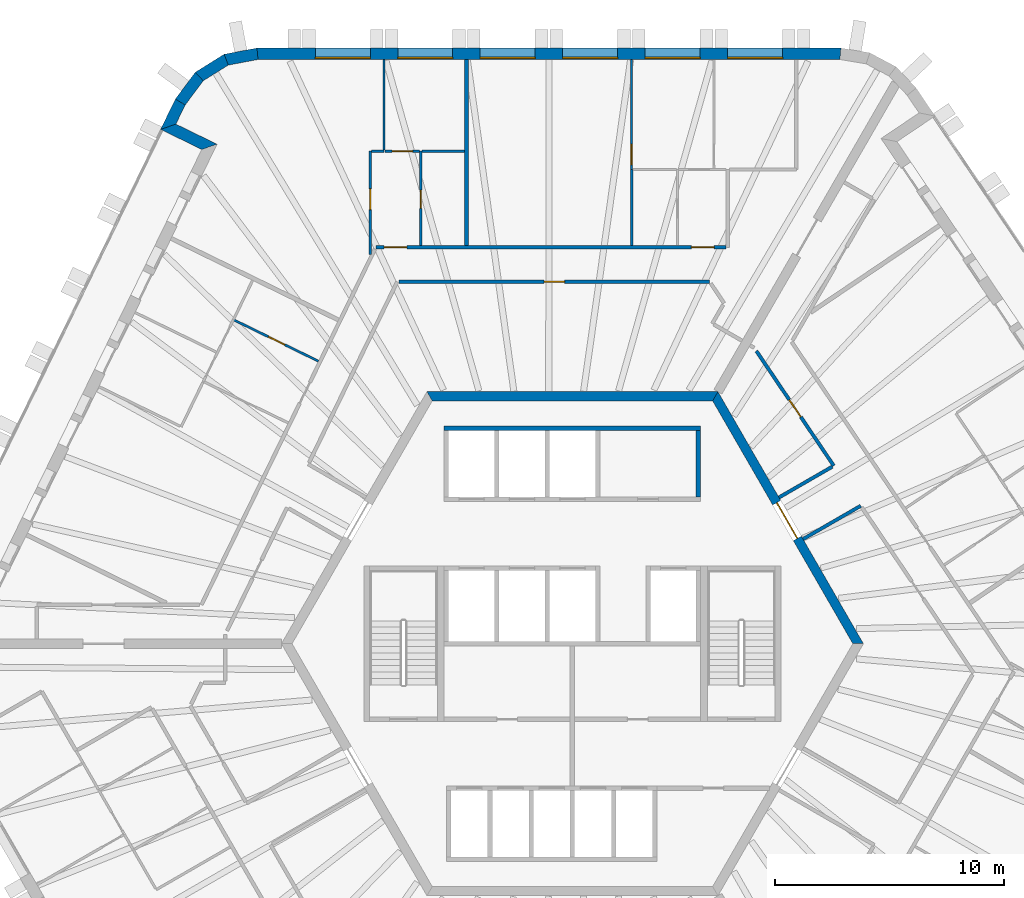
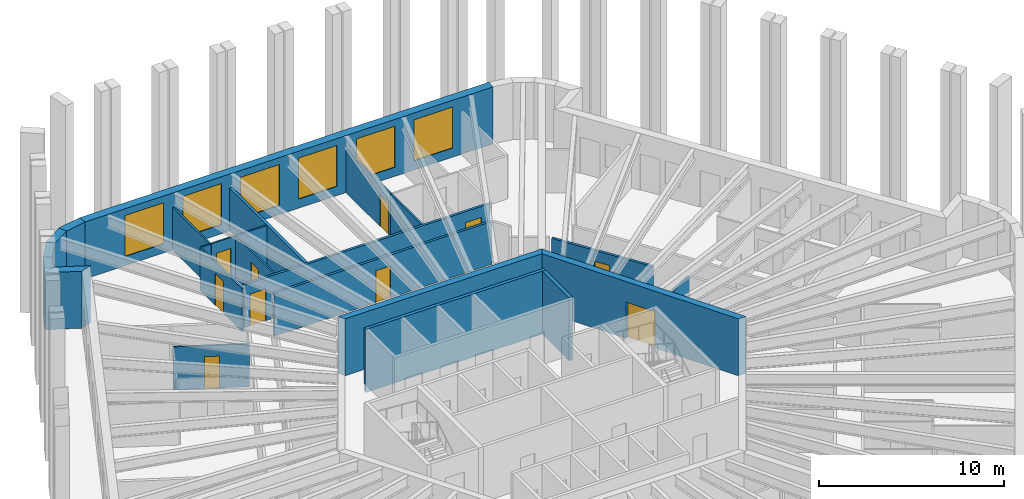
# One storey, part 9 of 13: 25 walls, 10 doors, 6 windows, 16 openings.
"""IFC4 building model written with IfcOpenShell, lengths in metres."""

from ifc_helpers import new_model, si_unit, direction, frame, frame_2d, origin, place, context, subcontext, project, spatial, polyline, rectangle, outline, extrude, material, layer, layer_set, type_object, element, fill, save


model = new_model("IFC4")

# Units and contexts
model_context = context("Model", 3, precision=1e-05, world=origin(), true_north=direction((0.0, 1.0)))
body_context = subcontext(model_context, "Body", "Model", "MODEL_VIEW")
ifc_project = project(units=[si_unit("LENGTHUNIT", "METRE"), si_unit("AREAUNIT", "SQUARE_METRE"), si_unit("VOLUMEUNIT", "CUBIC_METRE"), si_unit("PLANEANGLEUNIT", "RADIAN"), si_unit("MASSUNIT", "GRAM", prefix="KILO")], contexts=[model_context])

# Site, building, storey
site_placement = place(None, origin())
site = spatial("IfcSite", under=ifc_project, at=site_placement, CompositionType="ELEMENT")
building_placement = place(site_placement, origin())
building = spatial("IfcBuilding", under=site, at=building_placement, Name="Tarnside Tower", CompositionType="ELEMENT")
storey_placement = place(building_placement, frame((0.0, 0.0, 256.199951171875)))
storey = spatial("IfcBuildingStorey", under=building, at=storey_placement, Name="L61", CompositionType="ELEMENT", Elevation=256.199951171875)

# Wall
ifc_material_1 = material(Name="Gypsum board partition on steel studs", Category="steel")
ifc_layer_1 = layer(ifc_material_1, 0.10009765625)
ifc_layer_set_1 = layer_set([ifc_layer_1], Name="Bathroom wall 100")
wall_type_1 = type_object("IfcWallType", Name="Bathroom wall 100", PredefinedType="PARTITIONING", material=ifc_layer_set_1)
wall_1_placement = place(storey_placement, frame((2.586181640625, 17.375, 0.0), z_axis=(0.0, 0.0, 1.0), x_axis=(0.0, 1.0, 0.0)))
element("IfcWall", 1, at=wall_1_placement, inside=storey, type_object=wall_type_1, Name="Bathroom wall 20081", PredefinedType="PARTITIONING", context=body_context, shape_type="SweptSolid", body=[
    extrude(rectangle(XDim=3.324951171875, YDim=0.10009765625, at=frame_2d((1.66259765625, 0.0))), origin(), (0.0, 0.0, 1.0), 2.823486328125),
])

# Wall, opening, door
wall_2_placement = place(storey_placement, frame((-6.624755859375, 17.375, 0.0), z_axis=(0.0, 0.0, 1.0), x_axis=(0.0, 1.0, 0.0)))
wall_2 = element("IfcWall", 2, at=wall_2_placement, inside=storey, type_object=wall_type_1, Name="Bathroom wall 20095", PredefinedType="PARTITIONING", context=body_context, shape_type="SweptSolid", body=[
    extrude(rectangle(XDim=4.125, YDim=0.10009765625, at=frame_2d((2.0625, 0.0))), origin(), (0.0, 0.0, 1.0), 2.823486328125),
])
opening_1_placement = place(wall_2_placement, frame((1.625, 0.0, 0.0)))
opening_1 = element("IfcOpeningElement", 3, at=opening_1_placement, cuts=wall_2, Name="Opening D-B1", PredefinedType="OPENING", context=body_context, shape_type="SweptSolid", body=[
    extrude(rectangle(XDim=0.800048828125, YDim=2.10009765625, at=frame_2d((0.39990234375, 1.050048828125))), frame((0.0, 0.06005859375, 0.0), z_axis=(0.0, -1.0, 0.0), x_axis=(1.0, 0.0, 0.0)), (0.0, 0.0, 1.0), 0.1201171875),
])
ifc_material_2 = material(Name="Timber door leaf", Category="wood")
door_type_1 = type_object("IfcDoorType", Name="Bathroom door 800", OperationType="NOTDEFINED", PredefinedType="DOOR", material=ifc_material_2)
door_1_placement = place(opening_1_placement, origin())
door_1 = element("IfcDoor", 4, at=door_1_placement, inside=storey, type_object=door_type_1, Name="Bathroom door 20012", OperationType="SINGLE_SWING_RIGHT", OverallHeight=2.10009765625, OverallWidth=0.800048828125, PredefinedType="DOOR", context=body_context, shape_type="SweptSolid", body=[
    extrude(rectangle(XDim=0.800048828125, YDim=2.10009765625, at=frame_2d((0.39990234375, 1.050048828125))), frame((0.0, 0.02490234375, 0.0), z_axis=(0.0, -1.0, 0.0), x_axis=(1.0, 0.0, 0.0)), (0.0, 0.0, 1.0), 0.050048828125),
])
fill(opening_1, door_1)

# Wall
wall_3_placement = place(storey_placement, frame((-4.71484375, 21.5, 0.0), z_axis=(0.0, 0.0, 1.0), x_axis=(-1.0, 0.0, 0.0)))
element("IfcWall", 5, at=wall_3_placement, inside=storey, type_object=wall_type_1, Name="Bathroom wall 20097", PredefinedType="PARTITIONING", context=body_context, shape_type="SweptSolid", body=[
    extrude(rectangle(XDim=1.862060546875, YDim=0.10009765625, at=frame_2d((0.93115234375, 0.0))), origin(), (0.0, 0.0, 1.0), 2.823486328125),
])

# Wall, opening, door
wall_4_placement = place(storey_placement, frame((-11.09033203125, 12.334716796875, 0.0), z_axis=(0.0, 0.0, 1.0), x_axis=(-0.898787215731, 0.438385151252, 0.0)))
wall_4 = element("IfcWall", 6, at=wall_4_placement, inside=storey, type_object=wall_type_1, Name="Bathroom wall 20102", PredefinedType="PARTITIONING", context=body_context, shape_type="SweptSolid", body=[
    extrude(rectangle(XDim=4.125, YDim=0.10009765625, at=frame_2d((2.0625, 0.0))), origin(), (0.0, 0.0, 1.0), 2.823486328125),
])
opening_2_placement = place(wall_4_placement, frame((1.625, 0.0, 0.0)))
opening_2 = element("IfcOpeningElement", 7, at=opening_2_placement, cuts=wall_4, Name="Opening D-B1", PredefinedType="OPENING", context=body_context, shape_type="SweptSolid", body=[
    extrude(rectangle(XDim=0.800048828125, YDim=2.10009765625, at=frame_2d((0.39990234375, 1.050048828125))), frame((0.0, 0.06005859375, 0.0), z_axis=(0.0, -1.0, 0.0), x_axis=(1.0, 0.0, 0.0)), (0.0, 0.0, 1.0), 0.1201171875),
])
door_2_placement = place(opening_2_placement, origin())
door_2 = element("IfcDoor", 8, at=door_2_placement, inside=storey, type_object=door_type_1, Name="Bathroom door 20016", OperationType="SINGLE_SWING_RIGHT", OverallHeight=2.10009765625, OverallWidth=0.800048828125, PredefinedType="DOOR", context=body_context, shape_type="SweptSolid", body=[
    extrude(rectangle(XDim=0.800048828125, YDim=2.10009765625, at=frame_2d((0.39990234375, 1.050048828125))), frame((0.0, 0.02490234375, 0.0), z_axis=(0.0, -1.0, 0.0), x_axis=(1.0, 0.0, 0.0)), (0.0, 0.0, 1.0), 0.050048828125),
])
fill(opening_2, door_2)

ifc_material_3 = material(Name="Concrete C60/75", Category="concrete")
ifc_layer_2 = layer(ifc_material_3, 0.39990234375)
ifc_layer_set_2 = layer_set([ifc_layer_2], Name="Core wall Z3 400 C60/75")
wall_type_2 = type_object("IfcWallType", Name="Core wall Z3 400 C60/75", PredefinedType="SHEAR", material=ifc_layer_set_2)
wall_5_placement = place(storey_placement, frame((12.470703125, 0.0, 0.0), z_axis=(0.0, 0.0, 1.0), x_axis=(-0.499996419489, 0.866027470984, 0.0)))
wall_5 = element("IfcWall", 9, at=wall_5_placement, inside=storey, type_object=wall_type_2, Name="L61 core wall face 6", PredefinedType="SHEAR", context=body_context, shape_type="SweptSolid", body=[
    extrude(outline(polyline([(-0.115478515625, -0.199951171875), (12.586181640625, -0.199951171875), (12.355224609375, 0.199951171875), (0.115478515625, 0.199951171875), (-0.115478515625, -0.199951171875)])), origin(), (0.0, 0.0, 1.0), 3.75),
])
opening_3_placement = place(wall_5_placement, frame((5.306396484375, 0.0, 0.0)))
opening_3 = element("IfcOpeningElement", 10, at=opening_3_placement, cuts=wall_5, Name="Opening CD-LOB", PredefinedType="OPENING", context=body_context, shape_type="SweptSolid", body=[
    extrude(rectangle(XDim=1.800048828125, YDim=2.39990234375, at=frame_2d((0.89990234375, 1.199951171875))), frame((0.0, 0.2099609375, 0.0), z_axis=(0.0, -1.0, 0.0), x_axis=(1.0, 0.0, 0.0)), (0.0, 0.0, 1.0), 0.419921875),
])
ifc_material_4 = material(Name="Steel fire door", Category="steel")
door_type_2 = type_object("IfcDoorType", Name="Lobby double door FD30S 1800x2400", OperationType="NOTDEFINED", PredefinedType="DOOR", material=ifc_material_4)
door_3_placement = place(opening_3_placement, origin())
door_3 = element("IfcDoor", 11, at=door_3_placement, inside=storey, type_object=door_type_2, Name="L61 core door P2", OperationType="DOUBLE_DOOR_SINGLE_SWING", OverallHeight=2.39990234375, OverallWidth=1.800048828125, PredefinedType="DOOR", context=body_context, shape_type="SweptSolid", body=[
    extrude(rectangle(XDim=1.800048828125, YDim=2.39990234375, at=frame_2d((0.89990234375, 1.199951171875))), frame((0.0, 0.02490234375, 0.0), z_axis=(0.0, -1.0, 0.0), x_axis=(1.0, 0.0, 0.0)), (0.0, 0.0, 1.0), 0.050048828125),
])
fill(opening_3, door_3)

# Wall
wall_6_placement = place(storey_placement, frame((6.2353515625, 10.800048828125, 0.0), z_axis=(0.0, 0.0, 1.0), x_axis=(-1.0, 0.0, 0.0)))
element("IfcWall", 12, at=wall_6_placement, inside=storey, type_object=wall_type_2, Name="L61 core wall face 1", PredefinedType="SHEAR", context=body_context, shape_type="SweptSolid", body=[
    extrude(outline(polyline([(-0.115478515625, -0.199951171875), (12.586181640625, -0.199951171875), (12.355224609375, 0.199951171875), (0.115478515625, 0.199951171875), (-0.115478515625, -0.199951171875)])), origin(), (0.0, 0.0, 1.0), 3.75),
])

# Wall, openings, doors
ifc_layer_3 = layer(ifc_material_1, 0.14990234375)
ifc_layer_set_3 = layer_set([ifc_layer_3], Name="Corridor wall 150 EI 60")
wall_type_3 = type_object("IfcWallType", Name="Corridor wall 150 EI 60", PredefinedType="PARTITIONING", material=ifc_layer_set_3)
wall_7_placement = place(storey_placement, frame((6.711181640625, 17.300048828125, 0.0), z_axis=(0.0, 0.0, 1.0), x_axis=(-1.0, 0.0, 0.0)))
wall_7 = element("IfcWall", 13, at=wall_7_placement, inside=storey, type_object=wall_type_3, Name="Corridor wall 20001", PredefinedType="PARTITIONING", context=body_context, shape_type="SweptSolid", body=[
    extrude(rectangle(XDim=15.296142578125, YDim=0.14990234375, at=frame_2d((7.64794921875, 0.0))), origin(), (0.0, 0.0, 1.0), 2.823486328125),
])
opening_4_placement = place(wall_7_placement, frame((0.52490234375, 0.0, 0.0)))
opening_4 = element("IfcOpeningElement", 14, at=opening_4_placement, cuts=wall_7, Name="Opening D-E1", PredefinedType="OPENING", context=body_context, shape_type="SweptSolid", body=[
    extrude(rectangle(XDim=1.0, YDim=2.10009765625, at=frame_2d((0.5, 1.050048828125))), frame((0.0, 0.0849609375, 0.0), z_axis=(0.0, -1.0, 0.0), x_axis=(1.0, 0.0, 0.0)), (0.0, 0.0, 1.0), 0.169921875),
])
opening_5_placement = place(wall_7_placement, frame((13.93603515625, 0.0, 0.0)))
opening_5 = element("IfcOpeningElement", 15, at=opening_5_placement, cuts=wall_7, Name="Opening D-E1", PredefinedType="OPENING", context=body_context, shape_type="SweptSolid", body=[
    extrude(rectangle(XDim=1.0, YDim=2.10009765625, at=frame_2d((0.5, 1.050048828125))), frame((0.0, 0.0849609375, 0.0), z_axis=(0.0, -1.0, 0.0), x_axis=(1.0, 0.0, 0.0)), (0.0, 0.0, 1.0), 0.169921875),
])
door_type_3 = type_object("IfcDoorType", Name="Unit entrance door 1000 FD30S", OperationType="NOTDEFINED", PredefinedType="DOOR", material=ifc_material_2)
door_4_placement = place(opening_4_placement, origin())
door_4 = element("IfcDoor", 16, at=door_4_placement, inside=storey, type_object=door_type_3, Name="Unit door 20001", OperationType="SINGLE_SWING_RIGHT", OverallHeight=2.10009765625, OverallWidth=1.0, PredefinedType="DOOR", context=body_context, shape_type="SweptSolid", body=[
    extrude(rectangle(XDim=1.0, YDim=2.10009765625, at=frame_2d((0.5, 1.050048828125))), frame((0.0, 0.02490234375, 0.0), z_axis=(0.0, -1.0, 0.0), x_axis=(1.0, 0.0, 0.0)), (0.0, 0.0, 1.0), 0.050048828125),
])
fill(opening_4, door_4)
door_5_placement = place(opening_5_placement, origin())
door_5 = element("IfcDoor", 17, at=door_5_placement, inside=storey, type_object=door_type_3, Name="Unit door 20011", OperationType="SINGLE_SWING_LEFT", OverallHeight=2.10009765625, OverallWidth=1.0, PredefinedType="DOOR", context=body_context, shape_type="SweptSolid", body=[
    extrude(rectangle(XDim=1.0, YDim=2.10009765625, at=frame_2d((0.5, 1.050048828125))), frame((0.0, 0.02490234375, 0.0), z_axis=(0.0, -1.0, 0.0), x_axis=(1.0, 0.0, 0.0)), (0.0, 0.0, 1.0), 0.050048828125),
])
fill(opening_5, door_5)

# Wall, opening, door
wall_8_placement = place(storey_placement, frame((-7.564208984375, 15.800048828125, 0.0), z_axis=(0.0, 0.0, 1.0), x_axis=(1.0, 0.0, 0.0)))
wall_8 = element("IfcWall", 18, at=wall_8_placement, inside=storey, type_object=wall_type_3, Name="Corridor wall 20019", PredefinedType="PARTITIONING", context=body_context, shape_type="SweptSolid", body=[
    extrude(rectangle(XDim=13.552734375, YDim=0.14990234375, at=frame_2d((6.7763671875, 0.0))), origin(), (0.0, 0.0, 1.0), 2.823486328125),
])
opening_6_placement = place(wall_8_placement, frame((6.326416015625, 0.0, 0.0)))
opening_6 = element("IfcOpeningElement", 19, at=opening_6_placement, cuts=wall_8, Name="Opening D-S1", PredefinedType="OPENING", context=body_context, shape_type="SweptSolid", body=[
    extrude(rectangle(XDim=0.89990234375, YDim=2.10009765625, at=frame_2d((0.449951171875, 1.050048828125))), frame((0.0, 0.0849609375, 0.0), z_axis=(0.0, -1.0, 0.0), x_axis=(1.0, 0.0, 0.0)), (0.0, 0.0, 1.0), 0.169921875),
])
door_type_4 = type_object("IfcDoorType", Name="Service room door 900 FD30S", OperationType="NOTDEFINED", PredefinedType="DOOR", material=ifc_material_2)
door_6_placement = place(opening_6_placement, origin())
door_6 = element("IfcDoor", 20, at=door_6_placement, inside=storey, type_object=door_type_4, Name="Service door 20071", OperationType="SINGLE_SWING_LEFT", OverallHeight=2.10009765625, OverallWidth=0.89990234375, PredefinedType="DOOR", context=body_context, shape_type="SweptSolid", body=[
    extrude(rectangle(XDim=0.89990234375, YDim=2.10009765625, at=frame_2d((0.449951171875, 1.050048828125))), frame((0.0, 0.02490234375, 0.0), z_axis=(0.0, -1.0, 0.0), x_axis=(1.0, 0.0, 0.0)), (0.0, 0.0, 1.0), 0.050048828125),
])
fill(opening_6, door_6)

# Wall
wall_9_placement = place(storey_placement, frame((10.065673828125, 4.565673828125, 0.0), z_axis=(0.0, 0.0, 1.0), x_axis=(0.866034661658, 0.49998396455, 0.0)))
element("IfcWall", 21, at=wall_9_placement, inside=storey, type_object=wall_type_3, Name="Corridor wall 20069", PredefinedType="PARTITIONING", context=body_context, shape_type="SweptSolid", body=[
    extrude(rectangle(XDim=2.9091796875, YDim=0.14990234375, at=frame_2d((1.45458984375, 0.0))), origin(), (0.0, 0.0, 1.0), 2.823486328125),
])

# Wall, opening, door
wall_10_placement = place(storey_placement, frame((8.02783203125, 12.77685546875, 0.0), z_axis=(0.0, 0.0, 1.0), x_axis=(0.559175239609, -0.829049486707, 0.0)))
wall_10 = element("IfcWall", 22, at=wall_10_placement, inside=storey, type_object=wall_type_3, Name="Corridor wall 20079", PredefinedType="PARTITIONING", context=body_context, shape_type="SweptSolid", body=[
    extrude(rectangle(XDim=6.044921875, YDim=0.14990234375, at=frame_2d((3.0224609375, 0.0))), origin(), (0.0, 0.0, 1.0), 2.823486328125),
])
opening_7_placement = place(wall_10_placement, frame((2.572265625, 0.0, 0.0)))
opening_7 = element("IfcOpeningElement", 23, at=opening_7_placement, cuts=wall_10, Name="Opening D-S1", PredefinedType="OPENING", context=body_context, shape_type="SweptSolid", body=[
    extrude(rectangle(XDim=0.89990234375, YDim=2.10009765625, at=frame_2d((0.449951171875, 1.050048828125))), frame((0.0, 0.0849609375, 0.0), z_axis=(0.0, -1.0, 0.0), x_axis=(1.0, 0.0, 0.0)), (0.0, 0.0, 1.0), 0.169921875),
])
door_7_placement = place(opening_7_placement, origin())
door_7 = element("IfcDoor", 24, at=door_7_placement, inside=storey, type_object=door_type_4, Name="Service door 20077", OperationType="SINGLE_SWING_RIGHT", OverallHeight=2.10009765625, OverallWidth=0.89990234375, PredefinedType="DOOR", context=body_context, shape_type="SweptSolid", body=[
    extrude(rectangle(XDim=0.89990234375, YDim=2.10009765625, at=frame_2d((0.449951171875, 1.050048828125))), frame((0.0, 0.02490234375, 0.0), z_axis=(0.0, -1.0, 0.0), x_axis=(1.0, 0.0, 0.0)), (0.0, 0.0, 1.0), 0.050048828125),
])
fill(opening_7, door_7)

# Walls
wall_11_placement = place(storey_placement, frame((11.3427734375, 7.727783203125, 0.0), z_axis=(0.0, 0.0, 1.0), x_axis=(-0.866037314867, -0.499979368833, 0.0)))
element("IfcWall", 25, at=wall_11_placement, inside=storey, type_object=wall_type_3, Name="Corridor wall 20080", PredefinedType="PARTITIONING", context=body_context, shape_type="SweptSolid", body=[
    extrude(rectangle(XDim=2.68701171875, YDim=0.14990234375, at=frame_2d((1.343505859375, 0.0))), origin(), (0.0, 0.0, 1.0), 2.823486328125),
])
ifc_layer_4 = layer(ifc_material_1, 0.179931640625)
ifc_layer_set_4 = layer_set([ifc_layer_4], Name="Demising wall 180 EI 60")
wall_type_4 = type_object("IfcWallType", Name="Demising wall 180 EI 60", PredefinedType="PARTITIONING", material=ifc_layer_set_4)
wall_12_placement = place(storey_placement, frame((-4.624755859375, 25.5, 0.0), z_axis=(0.0, 0.0, 1.0), x_axis=(0.0, -1.0, 0.0)))
element("IfcWall", 26, at=wall_12_placement, inside=storey, type_object=wall_type_4, Name="Demising wall 20083", PredefinedType="PARTITIONING", context=body_context, shape_type="SweptSolid", body=[
    extrude(rectangle(XDim=8.125, YDim=0.179931640625, at=frame_2d((4.0625, 0.0))), origin(), (0.0, 0.0, 1.0), 2.823486328125),
])
ifc_material_5 = material(Name="Concrete C40/50", Category="concrete")
ifc_layer_5 = layer(ifc_material_5, 0.199951171875)
ifc_layer_set_5 = layer_set([ifc_layer_5], Name="Lift shaft wall 200 C40/50")
wall_type_5 = type_object("IfcWallType", Name="Lift shaft wall 200 C40/50", PredefinedType="SHEAR", material=ifc_layer_set_5)
wall_13_placement = place(storey_placement, frame((-5.60009765625, 9.39990234375, -0.5), z_axis=(0.0, 0.0, 1.0), x_axis=(1.0, 0.0, 0.0)))
element("IfcWall", 27, at=wall_13_placement, inside=storey, type_object=wall_type_5, Name="L61 lift shaft back wall R1", PredefinedType="SHEAR", context=body_context, shape_type="SweptSolid", body=[
    extrude(rectangle(XDim=11.2001953125, YDim=0.199951171875, at=frame_2d((5.60009765625, 0.0))), origin(), (0.0, 0.0, 1.0), 4.150146484375),
])
wall_14_placement = place(storey_placement, frame((5.5, 6.39990234375, -0.5), z_axis=(0.0, 0.0, 1.0), x_axis=(0.0, 1.0, 0.0)))
element("IfcWall", 28, at=wall_14_placement, inside=storey, type_object=wall_type_5, Name="L61 lift shaft partition R16", PredefinedType="SHEAR", context=body_context, shape_type="SweptSolid", body=[
    extrude(rectangle(XDim=2.900146484375, YDim=0.199951171875, at=frame_2d((1.4501953125, 0.0))), origin(), (0.0, 0.0, 1.0), 4.150146484375),
])
ifc_material_6 = material(Name="Dark zinc cladding")
ifc_layer_6 = layer(ifc_material_6, 0.10205078125)
ifc_material_7 = material(Name="Concrete C60/75 precast", Category="concrete")
ifc_layer_7 = layer(ifc_material_7, 0.298095703125)
ifc_material_8 = material(Name="Mineral wool insulation")
ifc_layer_8 = layer(ifc_material_8, 0.10009765625)
ifc_layer_set_6 = layer_set([ifc_layer_6, ifc_layer_7, ifc_layer_8], Name="Loggia wall 500 zinc faced")
wall_type_6 = type_object("IfcWallType", Name="Loggia wall 500 zinc faced", PredefinedType="SOLIDWALL", material=ifc_layer_set_6)
wall_15_placement = place(storey_placement, frame((-17.11767578125, 23.643798828125, 0.0), z_axis=(0.0, 0.0, 1.0), x_axis=(-0.438319390103, -0.898819287877, 0.0)))
element("IfcWall", 29, at=wall_15_placement, inside=storey, type_object=wall_type_6, Name="Tube wall L61 F2 stub 04", PredefinedType="SOLIDWALL", context=body_context, shape_type="SweptSolid", body=[
    extrude(outline(polyline([(-0.0234375, -0.25), (1.44970703125, -0.25), (0.94970703125, 0.25), (0.0234375, 0.25), (-0.0234375, -0.25)])), origin(), (0.0, 0.0, 1.0), 3.75),
])
wall_16_placement = place(storey_placement, frame((-17.6435546875, 22.5654296875, 0.0), z_axis=(0.0, 0.0, 1.0), x_axis=(0.898754367686, -0.43845249066, 0.0)))
element("IfcWall", 30, at=wall_16_placement, inside=storey, type_object=wall_type_6, Name="Tube wall L61 F2 return 05", PredefinedType="SOLIDWALL", context=body_context, shape_type="SweptSolid", body=[
    extrude(outline(polyline([(-0.25, -0.25), (1.75, -0.25), (2.25, 0.25), (0.25, 0.25), (-0.25, -0.25)])), origin(), (0.0, 0.0, 1.0), 3.75),
])

# Wall, opening, door
ifc_layer_9 = layer(ifc_material_1, 0.10009765625)
ifc_layer_set_7 = layer_set([ifc_layer_9], Name="Partition 100")
wall_type_7 = type_object("IfcWallType", Name="Partition 100", PredefinedType="PARTITIONING", material=ifc_layer_set_7)
wall_17_placement = place(storey_placement, frame((2.5751953125, 20.699951171875, 0.0), z_axis=(0.0, 0.0, 1.0), x_axis=(0.0, 1.0, 0.0)))
wall_17 = element("IfcWall", 31, at=wall_17_placement, inside=storey, type_object=wall_type_7, Name="Partition wall 20082", PredefinedType="PARTITIONING", context=body_context, shape_type="SweptSolid", body=[
    extrude(rectangle(XDim=4.800048828125, YDim=0.10009765625, at=frame_2d((2.39990234375, 0.0))), origin(), (0.0, 0.0, 1.0), 2.823486328125),
])
opening_8_placement = place(wall_17_placement, frame((0.199951171875, 0.0, 0.0)))
opening_8 = element("IfcOpeningElement", 32, at=opening_8_placement, cuts=wall_17, Name="Opening D-I1", PredefinedType="OPENING", context=body_context, shape_type="SweptSolid", body=[
    extrude(rectangle(XDim=0.89990234375, YDim=2.10009765625, at=frame_2d((0.449951171875, 1.050048828125))), frame((0.0, 0.06005859375, 0.0), z_axis=(0.0, -1.0, 0.0), x_axis=(1.0, 0.0, 0.0)), (0.0, 0.0, 1.0), 0.1201171875),
])
door_type_5 = type_object("IfcDoorType", Name="Internal door 900", OperationType="NOTDEFINED", PredefinedType="DOOR", material=ifc_material_2)
door_8_placement = place(opening_8_placement, origin())
door_8 = element("IfcDoor", 33, at=door_8_placement, inside=storey, type_object=door_type_5, Name="Internal door 20010", OperationType="SINGLE_SWING_RIGHT", OverallHeight=2.10009765625, OverallWidth=0.89990234375, PredefinedType="DOOR", context=body_context, shape_type="SweptSolid", body=[
    extrude(rectangle(XDim=0.89990234375, YDim=2.10009765625, at=frame_2d((0.449951171875, 1.050048828125))), frame((0.0, 0.02490234375, 0.0), z_axis=(0.0, -1.0, 0.0), x_axis=(1.0, 0.0, 0.0)), (0.0, 0.0, 1.0), 0.050048828125),
])
fill(opening_8, door_8)

wall_18_placement = place(storey_placement, frame((-8.82470703125, 16.9794921875, 0.0), z_axis=(0.0, 0.0, 1.0), x_axis=(0.0, 1.0, 0.0)))
wall_18 = element("IfcWall", 34, at=wall_18_placement, inside=storey, type_object=wall_type_7, Name="Partition wall 20090", PredefinedType="PARTITIONING", context=body_context, shape_type="SweptSolid", body=[
    extrude(rectangle(XDim=4.5205078125, YDim=0.10009765625, at=frame_2d((2.26025390625, 0.0))), origin(), (0.0, 0.0, 1.0), 2.823486328125),
])
opening_9_placement = place(wall_18_placement, frame((1.970458984375, 0.0, 0.0)))
opening_9 = element("IfcOpeningElement", 35, at=opening_9_placement, cuts=wall_18, Name="Opening D-I1", PredefinedType="OPENING", context=body_context, shape_type="SweptSolid", body=[
    extrude(rectangle(XDim=0.89990234375, YDim=2.10009765625, at=frame_2d((0.449951171875, 1.050048828125))), frame((0.0, 0.06005859375, 0.0), z_axis=(0.0, -1.0, 0.0), x_axis=(1.0, 0.0, 0.0)), (0.0, 0.0, 1.0), 0.1201171875),
])
door_9_placement = place(opening_9_placement, origin())
door_9 = element("IfcDoor", 36, at=door_9_placement, inside=storey, type_object=door_type_5, Name="Internal door 20013", OperationType="SINGLE_SWING_LEFT", OverallHeight=2.10009765625, OverallWidth=0.89990234375, PredefinedType="DOOR", context=body_context, shape_type="SweptSolid", body=[
    extrude(rectangle(XDim=0.89990234375, YDim=2.10009765625, at=frame_2d((0.449951171875, 1.050048828125))), frame((0.0, 0.02490234375, 0.0), z_axis=(0.0, -1.0, 0.0), x_axis=(1.0, 0.0, 0.0)), (0.0, 0.0, 1.0), 0.050048828125),
])
fill(opening_9, door_9)

# Walls
wall_19_placement = place(storey_placement, frame((-8.77490234375, 21.5, 0.0), z_axis=(0.0, 0.0, 1.0), x_axis=(1.0, 0.0, 0.0)))
element("IfcWall", 37, at=wall_19_placement, inside=storey, type_object=wall_type_7, Name="Partition wall 20091", PredefinedType="PARTITIONING", context=body_context, shape_type="SweptSolid", body=[
    extrude(rectangle(XDim=0.552001953125, YDim=0.10009765625, at=frame_2d((0.27587890625, 0.0))), origin(), (0.0, 0.0, 1.0), 2.823486328125),
])
wall_20_placement = place(storey_placement, frame((-8.224853515625, 21.550048828125, 0.0), z_axis=(0.0, 0.0, 1.0), x_axis=(0.0, 1.0, 0.0)))
element("IfcWall", 38, at=wall_20_placement, inside=storey, type_object=wall_type_7, Name="Partition wall 20092", PredefinedType="PARTITIONING", context=body_context, shape_type="SweptSolid", body=[
    extrude(rectangle(XDim=3.949951171875, YDim=0.10009765625, at=frame_2d((1.97509765625, 0.0))), origin(), (0.0, 0.0, 1.0), 2.823486328125),
])

# Wall, opening, door
wall_21_placement = place(storey_placement, frame((-6.6728515625, 21.5, 0.0), z_axis=(0.0, 0.0, 1.0), x_axis=(-1.0, 0.0, 0.0)))
wall_21 = element("IfcWall", 39, at=wall_21_placement, inside=storey, type_object=wall_type_7, Name="Partition wall 20096", PredefinedType="PARTITIONING", context=body_context, shape_type="SweptSolid", body=[
    extrude(rectangle(XDim=1.501953125, YDim=0.10009765625, at=frame_2d((0.7509765625, 0.0))), origin(), (0.0, 0.0, 1.0), 2.823486328125),
])
opening_10_placement = place(wall_21_placement, frame((0.302001953125, 0.0, 0.0)))
opening_10 = element("IfcOpeningElement", 40, at=opening_10_placement, cuts=wall_21, Name="Opening D-I1", PredefinedType="OPENING", context=body_context, shape_type="SweptSolid", body=[
    extrude(rectangle(XDim=0.89990234375, YDim=2.10009765625, at=frame_2d((0.449951171875, 1.050048828125))), frame((0.0, 0.06005859375, 0.0), z_axis=(0.0, -1.0, 0.0), x_axis=(1.0, 0.0, 0.0)), (0.0, 0.0, 1.0), 0.1201171875),
])
door_10_placement = place(opening_10_placement, origin())
door_10 = element("IfcDoor", 41, at=door_10_placement, inside=storey, type_object=door_type_5, Name="Internal door 20014", OperationType="SINGLE_SWING_RIGHT", OverallHeight=2.10009765625, OverallWidth=0.89990234375, PredefinedType="DOOR", context=body_context, shape_type="SweptSolid", body=[
    extrude(rectangle(XDim=0.89990234375, YDim=2.10009765625, at=frame_2d((0.449951171875, 1.050048828125))), frame((0.0, 0.02490234375, 0.0), z_axis=(0.0, -1.0, 0.0), x_axis=(1.0, 0.0, 0.0)), (0.0, 0.0, 1.0), 0.050048828125),
])
fill(opening_10, door_10)

# Wall, openings, windows
ifc_material_9 = material(Name="Facing brick", Category="masonry")
ifc_layer_10 = layer(ifc_material_9, 0.10205078125)
ifc_layer_11 = layer(ifc_material_7, 0.298095703125)
ifc_layer_12 = layer(ifc_material_8, 0.10009765625)
ifc_layer_set_8 = layer_set([ifc_layer_10, ifc_layer_11, ifc_layer_12], Name="Tube wall 500 brick faced")
wall_type_8 = type_object("IfcWallType", Name="Tube wall 500 brick faced", PredefinedType="SOLIDWALL", material=ifc_layer_set_8)
wall_22_placement = place(storey_placement, frame((11.697509765625, 25.75, 0.0), z_axis=(0.0, 0.0, 1.0), x_axis=(-1.0, 0.0, 0.0)))
wall_22 = element("IfcWall", 42, at=wall_22_placement, inside=storey, type_object=wall_type_8, Name="Tube wall L61 F1 flush 00", PredefinedType="SOLIDWALL", context=body_context, shape_type="SweptSolid", body=[
    extrude(outline(polyline([(-0.0205078125, -0.25), (25.468017578125, -0.25), (25.421142578125, 0.25), (0.0205078125, 0.25), (-0.0205078125, -0.25)])), origin(), (0.0, 0.0, 1.0), 3.75),
])
opening_11_placement = place(wall_22_placement, frame((2.5224609375, 0.0, 0.60009765625)))
opening_11 = element("IfcOpeningElement", 43, at=opening_11_placement, cuts=wall_22, Name="Opening WR", PredefinedType="OPENING", context=body_context, shape_type="SweptSolid", body=[
    extrude(rectangle(XDim=2.39990234375, YDim=2.699951171875, at=frame_2d((1.199951171875, 1.35009765625))), frame((0.0, 0.260009765625, 0.0), z_axis=(0.0, -1.0, 0.0), x_axis=(1.0, 0.0, 0.0)), (0.0, 0.0, 1.0), 0.52001953125),
])
opening_12_placement = place(wall_22_placement, frame((6.122314453125, 0.0, 0.60009765625)))
opening_12 = element("IfcOpeningElement", 44, at=opening_12_placement, cuts=wall_22, Name="Opening WR", PredefinedType="OPENING", context=body_context, shape_type="SweptSolid", body=[
    extrude(rectangle(XDim=2.39990234375, YDim=2.699951171875, at=frame_2d((1.199951171875, 1.35009765625))), frame((0.0, 0.260009765625, 0.0), z_axis=(0.0, -1.0, 0.0), x_axis=(1.0, 0.0, 0.0)), (0.0, 0.0, 1.0), 0.52001953125),
])
opening_13_placement = place(wall_22_placement, frame((9.722412109375, 0.0, 0.60009765625)))
opening_13 = element("IfcOpeningElement", 45, at=opening_13_placement, cuts=wall_22, Name="Opening WR", PredefinedType="OPENING", context=body_context, shape_type="SweptSolid", body=[
    extrude(rectangle(XDim=2.39990234375, YDim=2.699951171875, at=frame_2d((1.199951171875, 1.35009765625))), frame((0.0, 0.260009765625, 0.0), z_axis=(0.0, -1.0, 0.0), x_axis=(1.0, 0.0, 0.0)), (0.0, 0.0, 1.0), 0.52001953125),
])
opening_14_placement = place(wall_22_placement, frame((13.322509765625, 0.0, 0.60009765625)))
opening_14 = element("IfcOpeningElement", 46, at=opening_14_placement, cuts=wall_22, Name="Opening WR", PredefinedType="OPENING", context=body_context, shape_type="SweptSolid", body=[
    extrude(rectangle(XDim=2.39990234375, YDim=2.699951171875, at=frame_2d((1.199951171875, 1.35009765625))), frame((0.0, 0.260009765625, 0.0), z_axis=(0.0, -1.0, 0.0), x_axis=(1.0, 0.0, 0.0)), (0.0, 0.0, 1.0), 0.52001953125),
])
opening_15_placement = place(wall_22_placement, frame((16.92236328125, 0.0, 0.60009765625)))
opening_15 = element("IfcOpeningElement", 47, at=opening_15_placement, cuts=wall_22, Name="Opening WR", PredefinedType="OPENING", context=body_context, shape_type="SweptSolid", body=[
    extrude(rectangle(XDim=2.39990234375, YDim=2.699951171875, at=frame_2d((1.199951171875, 1.35009765625))), frame((0.0, 0.260009765625, 0.0), z_axis=(0.0, -1.0, 0.0), x_axis=(1.0, 0.0, 0.0)), (0.0, 0.0, 1.0), 0.52001953125),
])
opening_16_placement = place(wall_22_placement, frame((20.5224609375, 0.0, 0.60009765625)))
opening_16 = element("IfcOpeningElement", 48, at=opening_16_placement, cuts=wall_22, Name="Opening WR", PredefinedType="OPENING", context=body_context, shape_type="SweptSolid", body=[
    extrude(rectangle(XDim=2.39990234375, YDim=2.699951171875, at=frame_2d((1.199951171875, 1.35009765625))), frame((0.0, 0.260009765625, 0.0), z_axis=(0.0, -1.0, 0.0), x_axis=(1.0, 0.0, 0.0)), (0.0, 0.0, 1.0), 0.52001953125),
])
ifc_material_10 = material(Name="Aluminium-framed double glazing", Category="aluminium")
window_type = type_object("IfcWindowType", Name="Residence window 2400 x 2700", PartitioningType="DOUBLE_PANEL_VERTICAL", PredefinedType="WINDOW", material=ifc_material_10)
window_1_placement = place(opening_11_placement, frame((0.0, 0.179931640625, 0.0)))
window_1 = element("IfcWindow", 49, at=window_1_placement, inside=storey, type_object=window_type, Name="E.WN.L61.F1.00", OverallHeight=2.699951171875, OverallWidth=2.39990234375, PartitioningType="DOUBLE_PANEL_VERTICAL", PredefinedType="WINDOW", context=body_context, shape_type="SweptSolid", body=[
    extrude(rectangle(XDim=2.39990234375, YDim=2.699951171875, at=frame_2d((1.199951171875, 1.35009765625))), frame((0.0, 0.030029296875, 0.0), z_axis=(0.0, -1.0, 0.0), x_axis=(1.0, 0.0, 0.0)), (0.0, 0.0, 1.0), 0.06005859375),
])
fill(opening_11, window_1)
window_2_placement = place(opening_12_placement, frame((0.0, 0.179931640625, 0.0)))
window_2 = element("IfcWindow", 50, at=window_2_placement, inside=storey, type_object=window_type, Name="E.WN.L61.F1.01", OverallHeight=2.699951171875, OverallWidth=2.39990234375, PartitioningType="DOUBLE_PANEL_VERTICAL", PredefinedType="WINDOW", context=body_context, shape_type="SweptSolid", body=[
    extrude(rectangle(XDim=2.39990234375, YDim=2.699951171875, at=frame_2d((1.199951171875, 1.35009765625))), frame((0.0, 0.030029296875, 0.0), z_axis=(0.0, -1.0, 0.0), x_axis=(1.0, 0.0, 0.0)), (0.0, 0.0, 1.0), 0.06005859375),
])
fill(opening_12, window_2)
window_3_placement = place(opening_13_placement, frame((0.0, 0.179931640625, 0.0)))
window_3 = element("IfcWindow", 51, at=window_3_placement, inside=storey, type_object=window_type, Name="E.WN.L61.F1.02", OverallHeight=2.699951171875, OverallWidth=2.39990234375, PartitioningType="DOUBLE_PANEL_VERTICAL", PredefinedType="WINDOW", context=body_context, shape_type="SweptSolid", body=[
    extrude(rectangle(XDim=2.39990234375, YDim=2.699951171875, at=frame_2d((1.199951171875, 1.35009765625))), frame((0.0, 0.030029296875, 0.0), z_axis=(0.0, -1.0, 0.0), x_axis=(1.0, 0.0, 0.0)), (0.0, 0.0, 1.0), 0.06005859375),
])
fill(opening_13, window_3)
window_4_placement = place(opening_14_placement, frame((0.0, 0.179931640625, 0.0)))
window_4 = element("IfcWindow", 52, at=window_4_placement, inside=storey, type_object=window_type, Name="E.WN.L61.F1.03", OverallHeight=2.699951171875, OverallWidth=2.39990234375, PartitioningType="DOUBLE_PANEL_VERTICAL", PredefinedType="WINDOW", context=body_context, shape_type="SweptSolid", body=[
    extrude(rectangle(XDim=2.39990234375, YDim=2.699951171875, at=frame_2d((1.199951171875, 1.35009765625))), frame((0.0, 0.030029296875, 0.0), z_axis=(0.0, -1.0, 0.0), x_axis=(1.0, 0.0, 0.0)), (0.0, 0.0, 1.0), 0.06005859375),
])
fill(opening_14, window_4)
window_5_placement = place(opening_15_placement, frame((0.0, 0.179931640625, 0.0)))
window_5 = element("IfcWindow", 53, at=window_5_placement, inside=storey, type_object=window_type, Name="E.WN.L61.F1.04", OverallHeight=2.699951171875, OverallWidth=2.39990234375, PartitioningType="DOUBLE_PANEL_VERTICAL", PredefinedType="WINDOW", context=body_context, shape_type="SweptSolid", body=[
    extrude(rectangle(XDim=2.39990234375, YDim=2.699951171875, at=frame_2d((1.199951171875, 1.35009765625))), frame((0.0, 0.030029296875, 0.0), z_axis=(0.0, -1.0, 0.0), x_axis=(1.0, 0.0, 0.0)), (0.0, 0.0, 1.0), 0.06005859375),
])
fill(opening_15, window_5)
window_6_placement = place(opening_16_placement, frame((0.0, 0.179931640625, 0.0)))
window_6 = element("IfcWindow", 54, at=window_6_placement, inside=storey, type_object=window_type, Name="E.WN.L61.F1.05", OverallHeight=2.699951171875, OverallWidth=2.39990234375, PartitioningType="DOUBLE_PANEL_VERTICAL", PredefinedType="WINDOW", context=body_context, shape_type="SweptSolid", body=[
    extrude(rectangle(XDim=2.39990234375, YDim=2.699951171875, at=frame_2d((1.199951171875, 1.35009765625))), frame((0.0, 0.030029296875, 0.0), z_axis=(0.0, -1.0, 0.0), x_axis=(1.0, 0.0, 0.0)), (0.0, 0.0, 1.0), 0.06005859375),
])
fill(opening_16, window_6)

# Walls
wall_23_placement = place(storey_placement, frame((-13.7470703125, 25.75, 0.0), z_axis=(0.0, 0.0, 1.0), x_axis=(-0.982736538448, -0.185010529429, 0.0)))
element("IfcWall", 55, at=wall_23_placement, inside=storey, type_object=wall_type_8, Name="Tube wall L61 F1 chord 01", PredefinedType="SOLIDWALL", context=body_context, shape_type="SweptSolid", body=[
    extrude(outline(polyline([(-0.0234375, -0.25), (1.435302734375, -0.25), (1.341064453125, 0.25), (0.0234375, 0.25), (-0.0234375, -0.25)])), origin(), (0.0, 0.0, 1.0), 3.75),
])
wall_24_placement = place(storey_placement, frame((-15.111328125, 25.4931640625, 0.0), z_axis=(0.0, 0.0, 1.0), x_axis=(-0.847978544293, -0.530030554231, 0.0)))
element("IfcWall", 56, at=wall_24_placement, inside=storey, type_object=wall_type_8, Name="Tube wall L61 F1 chord 02", PredefinedType="SOLIDWALL", context=body_context, shape_type="SweptSolid", body=[
    extrude(outline(polyline([(-0.047119140625, -0.25), (1.435302734375, -0.25), (1.341064453125, 0.25), (0.047119140625, 0.25), (-0.047119140625, -0.25)])), origin(), (0.0, 0.0, 1.0), 3.75),
])
wall_25_placement = place(storey_placement, frame((-16.28857421875, 24.75732421875, 0.0), z_axis=(0.0, 0.0, 1.0), x_axis=(-0.597210785942, -0.802084332945, 0.0)))
element("IfcWall", 57, at=wall_25_placement, inside=storey, type_object=wall_type_8, Name="Tube wall L61 F1 chord 03", PredefinedType="SOLIDWALL", context=body_context, shape_type="SweptSolid", body=[
    extrude(outline(polyline([(-0.047119140625, -0.25), (1.41162109375, -0.25), (1.36474609375, 0.25), (0.047119140625, 0.25), (-0.047119140625, -0.25)])), origin(), (0.0, 0.0, 1.0), 3.75),
])

save(model, "model.ifc")
